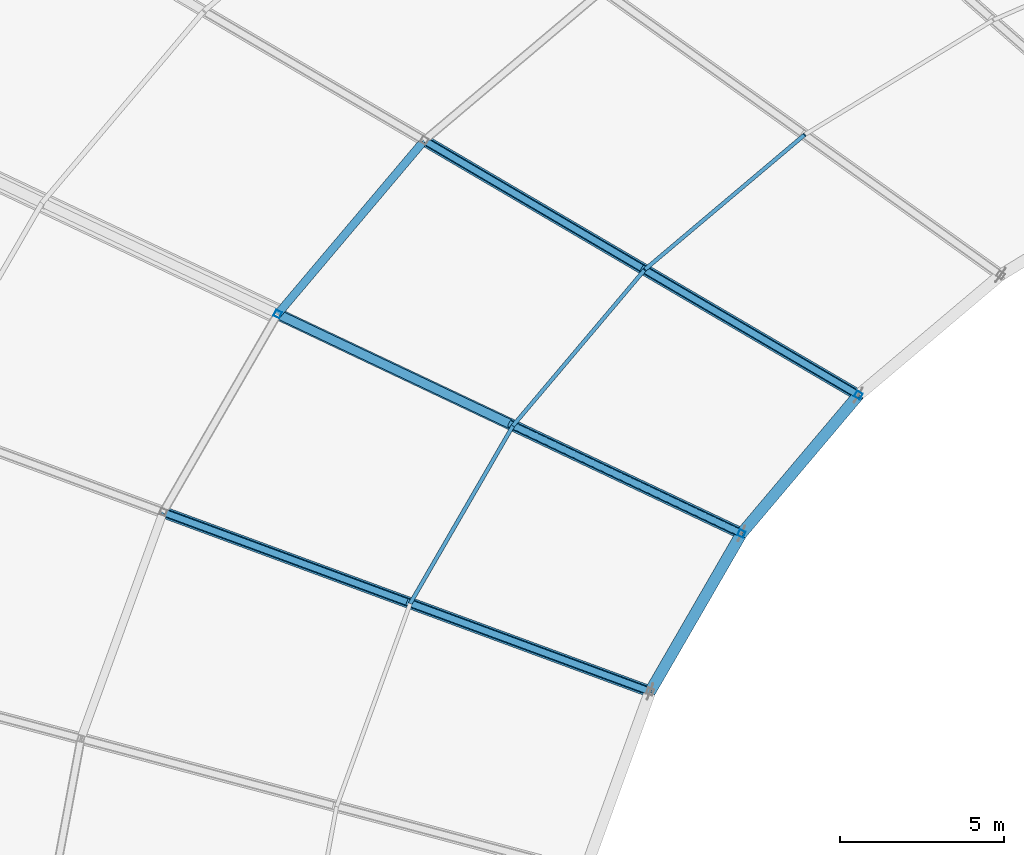
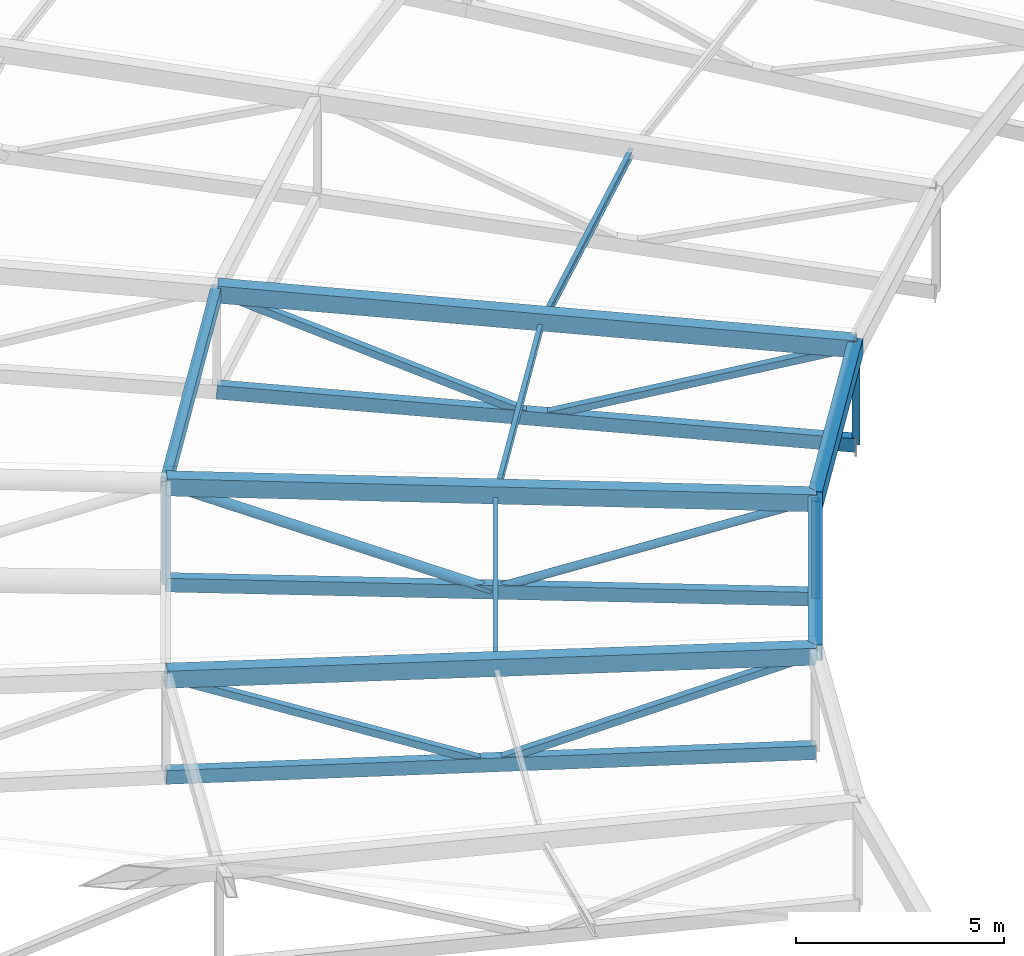
# One storey, part 48 of 143: 12 members, 9 beams.
"""IFC4 building model written with IfcOpenShell, lengths in metres."""

from ifc_helpers import new_model, si_unit, direction, frame, origin, origin_2d, place, context, subcontext, project, spatial, hollow_rectangle, hollow_circle, i_section, extrude, material, material_profile, profile_set, type_object, element, save


model = new_model("IFC4")

# Units and contexts
model_context = context("Model", 3, precision=1e-05, world=origin(), true_north=direction((0.0, 1.0)))
body_context = subcontext(model_context, "Body", "Model", "MODEL_VIEW")
ifc_project = project(units=[si_unit("LENGTHUNIT", "METRE"), si_unit("AREAUNIT", "SQUARE_METRE"), si_unit("VOLUMEUNIT", "CUBIC_METRE"), si_unit("PLANEANGLEUNIT", "RADIAN"), si_unit("MASSUNIT", "GRAM", prefix="KILO")], contexts=[model_context])

# Site, building, storey
site_placement = place(None, origin())
site = spatial("IfcSite", under=ifc_project, at=site_placement, CompositionType="ELEMENT")
building_placement = place(site_placement, origin())
building = spatial("IfcBuilding", under=site, at=building_placement, Name="Mphavela Belvedere Stadium", CompositionType="ELEMENT")
storey_placement = place(building_placement, frame((0.0, 0.0, 28.800048828125)))
storey = spatial("IfcBuildingStorey", under=building, at=storey_placement, Name="RF", CompositionType="ELEMENT", Elevation=28.800048828125)

# Beams
ifc_material_1 = material(Name="Steel S355", Category="steel")
ifc_material_profile_1 = material_profile(ifc_material_1, hollow_rectangle(XDim=0.35009765625, YDim=0.5, WallThickness=0.02001953125, at=origin_2d()), Name="RHS 500x350x20")
ifc_profile_set_1 = profile_set([ifc_material_profile_1], Name="Steel S355")
beam_type_1 = type_object("IfcBeamType", Name="BM-RING-IN", PredefinedType="BEAM", material=ifc_profile_set_1)
beam_1_placement = place(storey_placement, frame((62.87109375, 117.583251953125, 3.64697265625), z_axis=(-0.640050552269, -0.758013434001, -0.125502686881), x_axis=(0.764054600032, -0.645151585419, 0.0)))
element("IfcBeam", 1, at=beam_1_placement, inside=storey, type_object=beam_type_1, Name="Inner tension ring beam RB-IN-20", PredefinedType="BEAM", context=body_context, shape_type="SweptSolid", body=[
    extrude(hollow_rectangle(XDim=0.35009765625, YDim=0.5, WallThickness=0.02001953125, at=origin_2d()), origin(), (0.0, 0.0, 1.0), 5.5693359375),
])
beam_2_placement = place(storey_placement, frame((59.306396484375, 113.361572265625, 2.947998046875), z_axis=(-0.497643755364, -0.860724360119, -0.107257953759), x_axis=(0.865718494198, -0.500531206624, 0.0)))
element("IfcBeam", 2, at=beam_2_placement, inside=storey, type_object=beam_type_1, Name="Inner tension ring beam RB-IN-21", PredefinedType="BEAM", context=body_context, shape_type="SweptSolid", body=[
    extrude(hollow_rectangle(XDim=0.35009765625, YDim=0.5, WallThickness=0.02001953125, at=origin_2d()), origin(), (0.0, 0.0, 1.0), 5.59716796875),
])
ifc_material_2 = material(Name="Steel S355", Category="steel")
ifc_material_profile_2 = material_profile(ifc_material_2, hollow_rectangle(XDim=0.25, YDim=0.39990234375, WallThickness=0.01611328125, at=origin_2d()), Name="RHS 400x250x16")
ifc_profile_set_2 = profile_set([ifc_material_profile_2], Name="Steel S355")
beam_type_2 = type_object("IfcBeamType", Name="BM-RING-MID", PredefinedType="BEAM", material=ifc_profile_set_2)
beam_3_placement = place(storey_placement, frame((49.635498046875, 125.348388671875, 5.18359375), z_axis=(-0.640074393975, -0.757992954841, -0.125504783132), x_axis=(0.764034161883, -0.645175789592, 0.0)))
element("IfcBeam", 3, at=beam_3_placement, inside=storey, type_object=beam_type_2, Name="Intermediate roof ring beam RB-MID-20", PredefinedType="BEAM", context=body_context, shape_type="SweptSolid", body=[
    extrude(hollow_rectangle(XDim=0.25, YDim=0.39990234375, WallThickness=0.01611328125, at=origin_2d()), origin(), (0.0, 0.0, 1.0), 6.9833984375),
])
ifc_material_3 = material(Name="Steel S355", Category="steel")
ifc_material_profile_3 = material_profile(ifc_material_3, hollow_rectangle(XDim=0.25, YDim=0.39990234375, WallThickness=0.01611328125, at=origin_2d()), Name="RHS 400x250x16")
ifc_profile_set_3 = profile_set([ifc_material_profile_3], Name="Steel S355")
beam_type_3 = type_object("IfcBeamType", Name="BM-TRUSS-BC2", PredefinedType="BEAM", material=ifc_profile_set_3)
beam_4_placement = place(storey_placement, frame((49.635498046875, 125.348388671875, 2.28369140625), z_axis=(0.858497397532, -0.503668275615, -0.096439030324), x_axis=(0.506026920854, 0.862517684092, 0.0)))
element("IfcBeam", 4, at=beam_4_placement, inside=storey, type_object=beam_type_3, Name="Radial roof truss RT-20 bottom chord 3", PredefinedType="BEAM", context=body_context, shape_type="SweptSolid", body=[
    extrude(hollow_rectangle(XDim=0.25, YDim=0.39990234375, WallThickness=0.01611328125, at=origin_2d()), origin(), (0.0, 0.0, 1.0), 15.417236328125),
])
beam_5_placement = place(storey_placement, frame((45.16552734375, 120.054931640625, 1.4072265625), z_axis=(0.900712517801, -0.426338191468, -0.083382892568), x_axis=(0.427828067203, 0.903860135703, 0.0)))
element("IfcBeam", 5, at=beam_5_placement, inside=storey, type_object=beam_type_3, Name="Radial roof truss RT-21 bottom chord 3", PredefinedType="BEAM", context=body_context, shape_type="SweptSolid", body=[
    extrude(hollow_rectangle(XDim=0.25, YDim=0.39990234375, WallThickness=0.01611328125, at=origin_2d()), origin(), (0.0, 0.0, 1.0), 15.69970703125),
])
beam_6_placement = place(storey_placement, frame((41.672607421875, 114.01416015625, 0.654541015625), z_axis=(0.935851014092, -0.34477182824, -0.072905869955), x_axis=(0.345691774153, 0.938348121585, 0.0)))
element("IfcBeam", 6, at=beam_6_placement, inside=storey, type_object=beam_type_3, Name="Radial roof truss RT-22 bottom chord 3", PredefinedType="BEAM", context=body_context, shape_type="SweptSolid", body=[
    extrude(hollow_rectangle(XDim=0.25, YDim=0.39990234375, WallThickness=0.01611328125, at=origin_2d()), origin(), (0.0, 0.0, 1.0), 15.8662109375),
])
ifc_material_4 = material(Name="Steel S355", Category="steel")
ifc_material_profile_4 = material_profile(ifc_material_4, hollow_rectangle(XDim=0.35009765625, YDim=0.5, WallThickness=0.02001953125, at=origin_2d()), Name="RHS 500x350x20")
ifc_profile_set_4 = profile_set([ifc_material_profile_4], Name="Steel S355")
beam_type_4 = type_object("IfcBeamType", Name="BM-TRUSS-TC2", PredefinedType="BEAM", material=ifc_profile_set_4)
beam_7_placement = place(storey_placement, frame((49.635498046875, 125.348388671875, 5.18359375), z_axis=(0.85822558787, -0.503508808732, -0.099637943852), x_axis=(0.506026920854, 0.862517684092, 0.0)))
element("IfcBeam", 7, at=beam_7_placement, inside=storey, type_object=beam_type_4, Name="Radial roof truss RT-20 top chord 3", PredefinedType="BEAM", context=body_context, shape_type="SweptSolid", body=[
    extrude(hollow_rectangle(XDim=0.35009765625, YDim=0.5, WallThickness=0.02001953125, at=origin_2d()), origin(), (0.0, 0.0, 1.0), 15.422119140625),
])
beam_8_placement = place(storey_placement, frame((45.16552734375, 120.054931640625, 4.30712890625), z_axis=(0.900468616366, -0.426222744537, -0.086547345303), x_axis=(0.427828067203, 0.903860135703, 0.0)))
element("IfcBeam", 8, at=beam_8_placement, inside=storey, type_object=beam_type_4, Name="Radial roof truss RT-21 top chord 3", PredefinedType="BEAM", context=body_context, shape_type="SweptSolid", body=[
    extrude(hollow_rectangle(XDim=0.35009765625, YDim=0.5, WallThickness=0.02001953125, at=origin_2d()), origin(), (0.0, 0.0, 1.0), 15.703857421875),
])
beam_9_placement = place(storey_placement, frame((41.672607421875, 114.01416015625, 3.554443359375), z_axis=(0.935631211578, -0.344690851981, -0.076042438692), x_axis=(0.345691774153, 0.938348121585, 0.0)))
element("IfcBeam", 9, at=beam_9_placement, inside=storey, type_object=beam_type_4, Name="Radial roof truss RT-22 top chord 3", PredefinedType="BEAM", context=body_context, shape_type="SweptSolid", body=[
    extrude(hollow_rectangle(XDim=0.35009765625, YDim=0.5, WallThickness=0.02001953125, at=origin_2d()), origin(), (0.0, 0.0, 1.0), 15.869873046875),
])

# Members
ifc_material_5 = material(Name="Steel S355", Category="steel")
ifc_material_profile_5 = material_profile(ifc_material_5, hollow_circle(Radius=0.109619140625, WallThickness=0.012451171875, at=origin_2d()), Name="CHS 219.1x12.5")
ifc_profile_set_5 = profile_set([ifc_material_profile_5], Name="Steel S355")
member_type_1 = type_object("IfcMemberType", Name="MEM-DIAG-219", PredefinedType="BRACE", material=ifc_profile_set_5)
member_1_placement = place(storey_placement, frame((52.236083984375, 116.708251953125, 0.75244140625), z_axis=(0.870229035696, -0.411916423388, 0.270233760981), x_axis=(0.4278341017, 0.903857279344, 0.0)))
element("IfcMember", 10, at=member_1_placement, inside=storey, type_object=member_type_1, Name="Radial roof truss RT-21 web diagonal D6", PredefinedType="BRACE", context=body_context, shape_type="SweptSolid", body=[
    extrude(hollow_circle(Radius=0.109619140625, WallThickness=0.012451171875, at=origin_2d()), origin(), (0.0, 0.0, 1.0), 8.124755859375),
])
ifc_material_6 = material(Name="Steel S355", Category="steel")
ifc_material_profile_6 = material_profile(ifc_material_6, hollow_circle(Radius=0.136474609375, WallThickness=0.012451171875, at=origin_2d()), Name="CHS 273x12.5")
ifc_profile_set_6 = profile_set([ifc_material_profile_6], Name="Steel S355")
member_type_2 = type_object("IfcMemberType", Name="MEM-DIAG-273", PredefinedType="BRACE", material=ifc_profile_set_6)
member_2_placement = place(storey_placement, frame((45.16552734375, 120.054931640625, 4.30712890625), z_axis=(0.822887727094, -0.38949431867, -0.413702748748), x_axis=(0.427822032856, 0.903862991942, 0.0)))
element("IfcMember", 11, at=member_2_placement, inside=storey, type_object=member_type_2, Name="Radial roof truss RT-21 web diagonal D5", PredefinedType="BRACE", context=body_context, shape_type="SweptSolid", body=[
    extrude(hollow_circle(Radius=0.136474609375, WallThickness=0.012451171875, at=origin_2d()), origin(), (0.0, 0.0, 1.0), 8.59228515625),
])
ifc_material_7 = material(Name="Steel S355", Category="steel")
ifc_material_profile_7 = material_profile(ifc_material_7, hollow_rectangle(XDim=0.199951171875, YDim=0.199951171875, WallThickness=0.010009765625, at=origin_2d()), Name="SHS 200x200x10")
ifc_profile_set_7 = profile_set([ifc_material_profile_7], Name="Steel S355")
member_type_3 = type_object("IfcMemberType", Name="MEM-POST-SHS200", PredefinedType="POST", material=ifc_profile_set_7)
member_3_placement = place(storey_placement, frame((62.87109375, 117.583251953125, 0.796875), z_axis=(0.0, 0.0, 1.0), x_axis=(-0.862513669207, 0.506033764121, 0.0)))
element("IfcMember", 12, at=member_3_placement, inside=storey, type_object=member_type_3, Name="Radial roof truss RT-20 post P4", PredefinedType="POST", context=body_context, shape_type="SweptSolid", body=[
    extrude(hollow_rectangle(XDim=0.199951171875, YDim=0.199951171875, WallThickness=0.010009765625, at=origin_2d()), origin(), (0.0, 0.0, 1.0), 2.85009765625),
])
member_4_placement = place(storey_placement, frame((49.635498046875, 125.348388671875, 5.18359375), z_axis=(0.77914565138, -0.4571052973, -0.428936826486), x_axis=(0.506019976989, 0.862521757922, 0.0)))
element("IfcMember", 13, at=member_4_placement, inside=storey, type_object=member_type_3, Name="Radial roof truss RT-20 web diagonal D5", PredefinedType="POST", context=body_context, shape_type="SweptSolid", body=[
    extrude(hollow_rectangle(XDim=0.199951171875, YDim=0.199951171875, WallThickness=0.010009765625, at=origin_2d()), origin(), (0.0, 0.0, 1.0), 8.493896484375),
])
member_5_placement = place(storey_placement, frame((56.25341796875, 121.4658203125, 1.540283203125), z_axis=(0.831730583335, -0.487973565512, 0.264775444684), x_axis=(0.506033864876, 0.862513610095, 0.0)))
element("IfcMember", 14, at=member_5_placement, inside=storey, type_object=member_type_3, Name="Radial roof truss RT-20 web diagonal D6", PredefinedType="POST", context=body_context, shape_type="SweptSolid", body=[
    extrude(hollow_rectangle(XDim=0.199951171875, YDim=0.199951171875, WallThickness=0.010009765625, at=origin_2d()), origin(), (0.0, 0.0, 1.0), 7.95654296875),
])
member_6_placement = place(storey_placement, frame((45.16552734375, 120.054931640625, 1.4072265625), z_axis=(0.0, 0.0, 1.0), x_axis=(-0.903858661687, 0.4278311813, 0.0)))
element("IfcMember", 15, at=member_6_placement, inside=storey, type_object=member_type_3, Name="Radial roof truss RT-21 post P3", PredefinedType="POST", context=body_context, shape_type="SweptSolid", body=[
    extrude(hollow_rectangle(XDim=0.199951171875, YDim=0.199951171875, WallThickness=0.010009765625, at=origin_2d()), origin(), (0.0, 0.0, 1.0), 2.89990234375),
])
member_7_placement = place(storey_placement, frame((59.306396484375, 113.361572265625, 0.09814453125), z_axis=(0.0, 0.0, 1.0), x_axis=(-0.903858661687, 0.4278311813, 0.0)))
element("IfcMember", 16, at=member_7_placement, inside=storey, type_object=member_type_3, Name="Radial roof truss RT-21 post P4", PredefinedType="POST", context=body_context, shape_type="SweptSolid", body=[
    extrude(hollow_rectangle(XDim=0.199951171875, YDim=0.199951171875, WallThickness=0.010009765625, at=origin_2d()), origin(), (0.0, 0.0, 1.0), 2.849853515625),
])
member_8_placement = place(storey_placement, frame((41.672607421875, 114.01416015625, 3.554443359375), z_axis=(0.859000503732, -0.316464949301, -0.402452569196), x_axis=(0.345696778918, 0.938346277792, 0.0)))
element("IfcMember", 17, at=member_8_placement, inside=storey, type_object=member_type_3, Name="Radial roof truss RT-22 web diagonal D5", PredefinedType="POST", context=body_context, shape_type="SweptSolid", body=[
    extrude(hollow_rectangle(XDim=0.199951171875, YDim=0.199951171875, WallThickness=0.010009765625, at=origin_2d()), origin(), (0.0, 0.0, 1.0), 8.642578125),
])
member_9_placement = place(storey_placement, frame((49.0966796875, 111.279052734375, 0.076171875), z_axis=(0.901917470985, -0.332265091333, 0.275943444592), x_axis=(0.345686769524, 0.938349965299, 0.0)))
element("IfcMember", 18, at=member_9_placement, inside=storey, type_object=member_type_3, Name="Radial roof truss RT-22 web diagonal D6", PredefinedType="POST", context=body_context, shape_type="SweptSolid", body=[
    extrude(hollow_rectangle(XDim=0.199951171875, YDim=0.199951171875, WallThickness=0.010009765625, at=origin_2d()), origin(), (0.0, 0.0, 1.0), 8.231689453125),
])
ifc_material_8 = material(Name="Steel S355", Category="steel")
ifc_material_profile_8 = material_profile(ifc_material_8, i_section(OverallWidth=0.1201171875, OverallDepth=0.239990234375, WebThickness=0.006103515625, FlangeThickness=0.009765625, at=origin_2d()), Name="IPE 240")
ifc_profile_set_8 = profile_set([ifc_material_profile_8], Name="Steel S355")
member_type_4 = type_object("IfcMemberType", Name="MEM-PURLIN-IPE240", PredefinedType="PURLIN", material=ifc_profile_set_8)
member_10_placement = place(storey_placement, frame((61.23388671875, 125.523193359375, 5.08740234375), z_axis=(-0.757651820554, -0.639363505896, -0.131064969158), x_axis=(0.64492678552, -0.764244359691, 0.0)))
element("IfcMember", 19, at=member_10_placement, inside=storey, type_object=member_type_4, Name="Saddle canopy steel purlin 19-1", PredefinedType="PURLIN", context=body_context, shape_type="SweptSolid", body=[
    extrude(i_section(OverallWidth=0.1201171875, OverallDepth=0.239990234375, WebThickness=0.006103515625, FlangeThickness=0.009765625, at=origin_2d()), origin(), (0.0, 0.0, 1.0), 6.439453125),
])
member_11_placement = place(storey_placement, frame((56.35498046875, 121.406005859375, 4.243408203125), z_axis=(-0.640056738114, -0.758007045326, -0.125509725646), x_axis=(0.764048846211, -0.645158399623, 0.0)))
element("IfcMember", 20, at=member_11_placement, inside=storey, type_object=member_type_4, Name="Saddle canopy steel purlin 20-1", PredefinedType="PURLIN", context=body_context, shape_type="SweptSolid", body=[
    extrude(i_section(OverallWidth=0.1201171875, OverallDepth=0.239990234375, WebThickness=0.006103515625, FlangeThickness=0.009765625, at=origin_2d()), origin(), (0.0, 0.0, 1.0), 6.265380859375),
])
member_12_placement = place(storey_placement, frame((52.3447265625, 116.65673828125, 3.45703125), z_axis=(-0.497680434654, -0.860704890066, -0.107244007655), x_axis=(0.865697601254, -0.500567341308, 0.0)))
element("IfcMember", 21, at=member_12_placement, inside=storey, type_object=member_type_4, Name="Saddle canopy steel purlin 21-1", PredefinedType="PURLIN", context=body_context, shape_type="SweptSolid", body=[
    extrude(i_section(OverallWidth=0.1201171875, OverallDepth=0.239990234375, WebThickness=0.006103515625, FlangeThickness=0.009765625, at=origin_2d()), origin(), (0.0, 0.0, 1.0), 6.296875),
])

save(model, "model.ifc")
